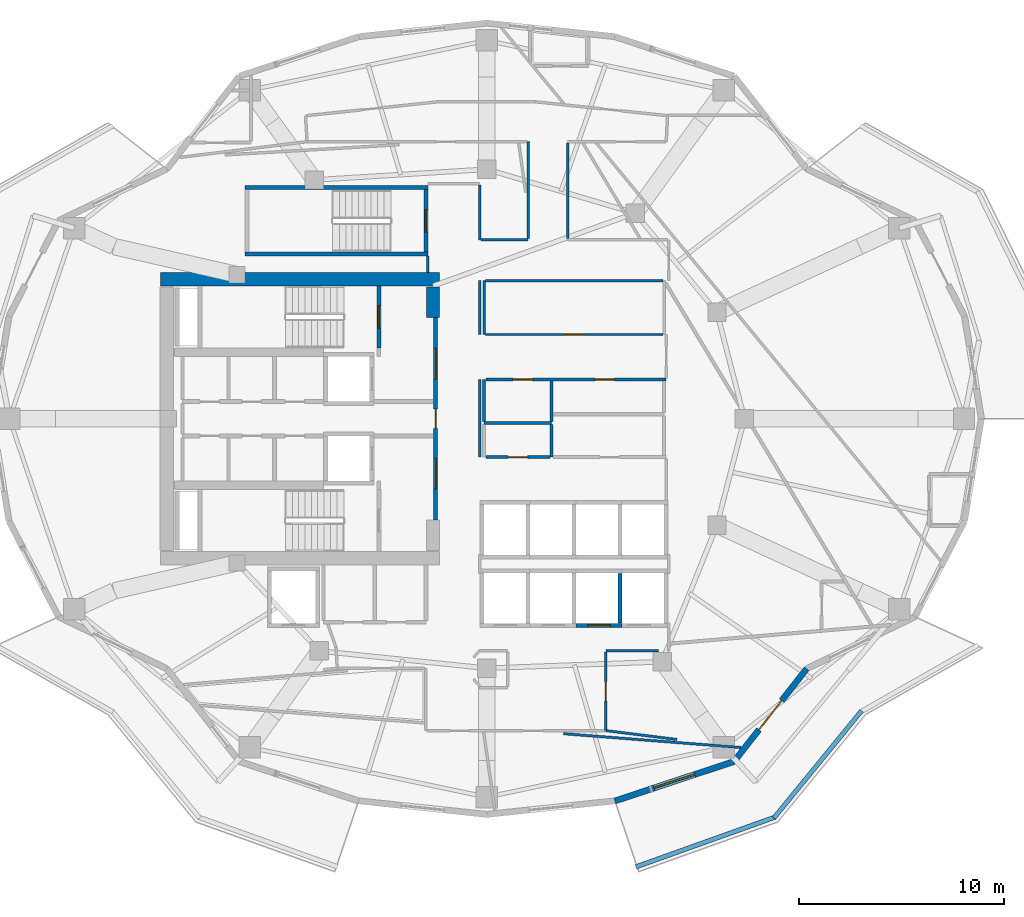
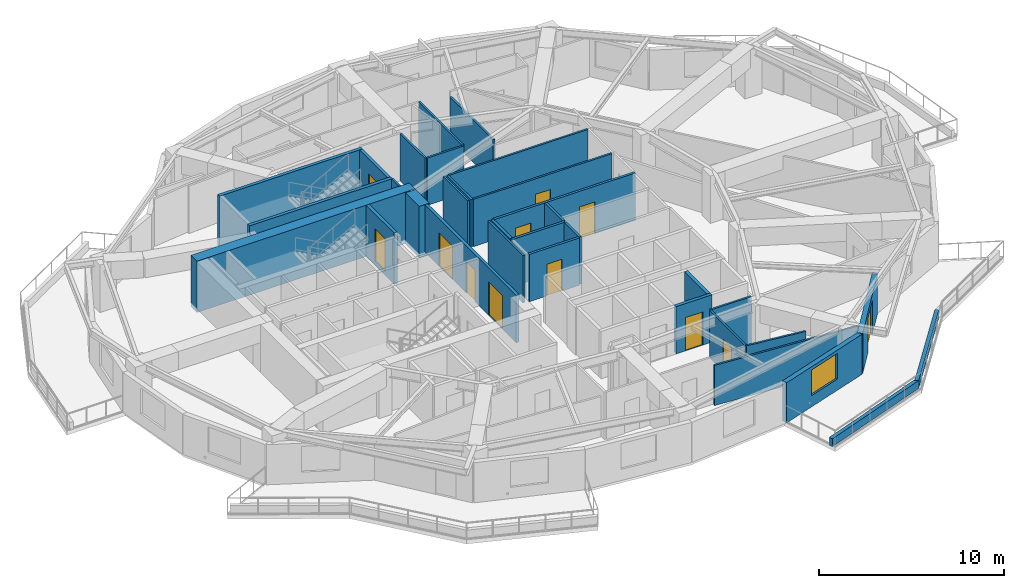
# One storey, part 5 of 12: 33 walls, 12 doors, 1 window, 13 openings.
"""IFC4 building model written with IfcOpenShell, lengths in metres."""

from ifc_helpers import new_model, si_unit, direction, frame, frame_2d, origin, place, context, subcontext, project, spatial, rectangle, extrude, material, layer, layer_set, type_object, element, fill, save


model = new_model("IFC4")

# Units and contexts
model_context = context("Model", 3, precision=1e-05, world=origin(), true_north=direction((0.0, 1.0)))
body_context = subcontext(model_context, "Body", "Model", "MODEL_VIEW")
ifc_project = project(units=[si_unit("LENGTHUNIT", "METRE"), si_unit("AREAUNIT", "SQUARE_METRE"), si_unit("VOLUMEUNIT", "CUBIC_METRE"), si_unit("PLANEANGLEUNIT", "RADIAN"), si_unit("MASSUNIT", "GRAM", prefix="KILO")], contexts=[model_context])

# Site, building, storey
site_placement = place(None, origin())
site = spatial("IfcSite", under=ifc_project, at=site_placement, CompositionType="ELEMENT")
building_placement = place(site_placement, origin())
building = spatial("IfcBuilding", under=site, at=building_placement, Name="Kolvaren Gate Tower and Convention Centre", CompositionType="ELEMENT")
storey_placement = place(building_placement, frame((0.0, 0.0, 139.300048828125)))
storey = spatial("IfcBuildingStorey", under=building, at=storey_placement, Name="L35", CompositionType="ELEMENT", Elevation=139.300048828125)

# Wall, openings, doors
ifc_material_1 = material(Name="Autoclaved Aerated Masonry Blockwork Class 4 (4.0 MPa)", Category="masonry")
ifc_layer_1 = layer(ifc_material_1, 0.179931640625)
ifc_layer_set_1 = layer_set([ifc_layer_1], Name="Autoclaved Aerated Masonry Blockwork Class 4 (4.0 MPa)")
wall_type_1 = type_object("IfcWallType", Name="ARCH-WL-COMP-180", PredefinedType="SOLIDWALL", material=ifc_layer_set_1)
wall_1_placement = place(storey_placement, frame((27.6201171875, 22.050048828125, 0.0), z_axis=(0.0, 0.0, 1.0), x_axis=(0.0, 1.0, 0.0)))
wall_1 = element("IfcWall", 1, at=wall_1_placement, inside=storey, type_object=wall_type_1, Name="Interior Partition WL-L35-INT-003", PredefinedType="SOLIDWALL", context=body_context, shape_type="SweptSolid", body=[
    extrude(rectangle(XDim=9.89990234375, YDim=0.179931640625, at=frame_2d((4.949951171875, 0.0))), origin(), (0.0, 0.0, 1.0), 3.1298828125),
])
opening_1_placement = place(wall_1_placement, frame((4.47509765625, 0.0, 0.0)))
opening_1 = element("IfcOpeningElement", 2, at=opening_1_placement, cuts=wall_1, Name="Opening DR-01", PredefinedType="OPENING", context=body_context, shape_type="SweptSolid", body=[
    extrude(rectangle(XDim=0.949951171875, YDim=2.10009765625, at=frame_2d((0.47509765625, 1.050048828125))), frame((0.0, 0.099853515625, 0.0), z_axis=(0.0, -1.0, 0.0), x_axis=(1.0, 0.0, 0.0)), (0.0, 0.0, 1.0), 0.199951171875),
])
opening_2_placement = place(wall_1_placement, frame((6.889892578125, 0.0, 0.0)))
opening_2 = element("IfcOpeningElement", 3, at=opening_2_placement, cuts=wall_1, Name="Opening DL-01", PredefinedType="OPENING", context=body_context, shape_type="SweptSolid", body=[
    extrude(rectangle(XDim=1.5, YDim=2.199951171875, at=frame_2d((0.75, 1.10009765625))), frame((0.0, 0.099853515625, 0.0), z_axis=(0.0, -1.0, 0.0), x_axis=(1.0, 0.0, 0.0)), (0.0, 0.0, 1.0), 0.199951171875),
])
opening_3_placement = place(wall_1_placement, frame((1.510009765625, 0.0, 0.0)))
opening_3 = element("IfcOpeningElement", 4, at=opening_3_placement, cuts=wall_1, Name="Opening DL-01", PredefinedType="OPENING", context=body_context, shape_type="SweptSolid", body=[
    extrude(rectangle(XDim=1.5, YDim=2.199951171875, at=frame_2d((0.75, 1.10009765625))), frame((0.0, 0.099853515625, 0.0), z_axis=(0.0, -1.0, 0.0), x_axis=(1.0, 0.0, 0.0)), (0.0, 0.0, 1.0), 0.199951171875),
])
ifc_material_2 = material(Name="Painted Architectural Steelwork ASTM A500 Grade C 345 MPa", Category="steel")
door_type_1 = type_object("IfcDoorType", Name="ARCH-DR-LOBBY-1500", OperationType="DOUBLE_DOOR_SINGLE_SWING", PredefinedType="DOOR", material=ifc_material_2)
door_1_placement = place(opening_2_placement, origin())
door_1 = element("IfcDoor", 5, at=door_1_placement, inside=storey, type_object=door_type_1, Name="North Firefighting Stair and Lift Lobby Door", OperationType="DOUBLE_DOOR_SINGLE_SWING", OverallHeight=2.199951171875, OverallWidth=1.5, PredefinedType="DOOR", context=body_context, shape_type="SweptSolid", body=[
    extrude(rectangle(XDim=1.5, YDim=2.199951171875, at=frame_2d((0.75, 1.10009765625))), frame((0.0, 0.02490234375, 0.0), z_axis=(0.0, -1.0, 0.0), x_axis=(1.0, 0.0, 0.0)), (0.0, 0.0, 1.0), 0.050048828125),
])
fill(opening_2, door_1)
door_2_placement = place(opening_3_placement, origin())
door_2 = element("IfcDoor", 6, at=door_2_placement, inside=storey, type_object=door_type_1, Name="South Firefighting Stair and Lift Lobby Door", OperationType="DOUBLE_DOOR_SINGLE_SWING", OverallHeight=2.199951171875, OverallWidth=1.5, PredefinedType="DOOR", context=body_context, shape_type="SweptSolid", body=[
    extrude(rectangle(XDim=1.5, YDim=2.199951171875, at=frame_2d((0.75, 1.10009765625))), frame((0.0, 0.02490234375, 0.0), z_axis=(0.0, -1.0, 0.0), x_axis=(1.0, 0.0, 0.0)), (0.0, 0.0, 1.0), 0.050048828125),
])
fill(opening_3, door_2)
door_type_2 = type_object("IfcDoorType", Name="ARCH-DR-RISER-950", OperationType="SINGLE_SWING_RIGHT", PredefinedType="DOOR", material=ifc_material_2)
door_3_placement = place(opening_1_placement, origin())
door_3 = element("IfcDoor", 7, at=door_3_placement, inside=storey, type_object=door_type_2, Name="Central MEP Service Corridor Door", OperationType="SINGLE_SWING_RIGHT", OverallHeight=2.10009765625, OverallWidth=0.949951171875, PredefinedType="DOOR", context=body_context, shape_type="SweptSolid", body=[
    extrude(rectangle(XDim=0.949951171875, YDim=2.10009765625, at=frame_2d((0.47509765625, 1.050048828125))), frame((0.0, 0.02490234375, 0.0), z_axis=(0.0, -1.0, 0.0), x_axis=(1.0, 0.0, 0.0)), (0.0, 0.0, 1.0), 0.050048828125),
])
fill(opening_1, door_3)

# Wall
ifc_material_3 = material(Name="Fire-Rated Acoustic Gypsum Stud Partition", Category="gypsum")
ifc_layer_2 = layer(ifc_material_3, 0.1201171875)
ifc_layer_set_2 = layer_set([ifc_layer_2], Name="Fire-Rated Acoustic Gypsum Stud Partition")
wall_type_2 = type_object("IfcWallType", Name="ARCH-WL-PART-120", PredefinedType="PARTITIONING", material=ifc_layer_set_2)
wall_2_placement = place(storey_placement, frame((30.0, 31.1201171875, 0.0), z_axis=(0.0, 0.0, 1.0), x_axis=(0.0, 1.0, 0.0)))
element("IfcWall", 8, at=wall_2_placement, inside=storey, type_object=wall_type_2, Name="Interior Partition WL-L35-INT-018", PredefinedType="PARTITIONING", context=body_context, shape_type="SweptSolid", body=[
    extrude(rectangle(XDim=2.6298828125, YDim=0.1201171875, at=frame_2d((1.31494140625, 0.0))), origin(), (0.0, 0.0, 1.0), 3.1298828125),
])

# Wall, opening, door
wall_3_placement = place(storey_placement, frame((30.06201171875, 31.1201171875, 0.0), z_axis=(0.0, 0.0, 1.0), x_axis=(1.0, 0.0, 0.0)))
wall_3 = element("IfcWall", 9, at=wall_3_placement, inside=storey, type_object=wall_type_2, Name="Interior Partition WL-L35-INT-025", PredefinedType="PARTITIONING", context=body_context, shape_type="SweptSolid", body=[
    extrude(rectangle(XDim=8.676025390625, YDim=0.1201171875, at=frame_2d((4.337890625, 0.0))), origin(), (0.0, 0.0, 1.0), 3.1298828125),
])
opening_4_placement = place(wall_3_placement, frame((3.863037109375, 0.0, 0.0)))
opening_4 = element("IfcOpeningElement", 10, at=opening_4_placement, cuts=wall_3, Name="Opening DR-01", PredefinedType="OPENING", context=body_context, shape_type="SweptSolid", body=[
    extrude(rectangle(XDim=0.949951171875, YDim=2.10009765625, at=frame_2d((0.47509765625, 1.050048828125))), frame((0.0, 0.070068359375, 0.0), z_axis=(0.0, -1.0, 0.0), x_axis=(1.0, 0.0, 0.0)), (0.0, 0.0, 1.0), 0.14013671875),
])
door_4_placement = place(opening_4_placement, origin())
door_4 = element("IfcDoor", 11, at=door_4_placement, inside=storey, type_object=door_type_2, Name="Botanical Reading Clubroom Door", OperationType="SINGLE_SWING_LEFT", OverallHeight=2.10009765625, OverallWidth=0.949951171875, PredefinedType="DOOR", context=body_context, shape_type="SweptSolid", body=[
    extrude(rectangle(XDim=0.949951171875, YDim=2.10009765625, at=frame_2d((0.47509765625, 1.050048828125))), frame((0.0, 0.02490234375, 0.0), z_axis=(0.0, -1.0, 0.0), x_axis=(1.0, 0.0, 0.0)), (0.0, 0.0, 1.0), 0.050048828125),
])
fill(opening_4, door_4)

# Walls
wall_4_placement = place(storey_placement, frame((30.06201171875, 33.75, 0.0), z_axis=(0.0, 0.0, 1.0), x_axis=(1.0, 0.0, 0.0)))
element("IfcWall", 12, at=wall_4_placement, inside=storey, type_object=wall_type_2, Name="Interior Partition WL-L35-INT-026", PredefinedType="PARTITIONING", context=body_context, shape_type="SweptSolid", body=[
    extrude(rectangle(XDim=8.676025390625, YDim=0.1201171875, at=frame_2d((4.337890625, 0.0))), origin(), (0.0, 0.0, 1.0), 3.1298828125),
])
wall_5_placement = place(storey_placement, frame((35.949951171875, 15.64990234375, 0.0), z_axis=(0.0, 0.0, 1.0), x_axis=(1.0, 0.0, 0.0)))
element("IfcWall", 13, at=wall_5_placement, inside=storey, type_object=wall_type_2, Name="Interior Partition WL-L35-INT-030", PredefinedType="PARTITIONING", context=body_context, shape_type="SweptSolid", body=[
    extrude(rectangle(XDim=2.568115234375, YDim=0.1201171875, at=frame_2d((1.2841796875, 0.0))), origin(), (0.0, 0.0, 1.0), 3.1298828125),
])

# Wall, opening, door
wall_6_placement = place(storey_placement, frame((35.949951171875, 11.75, 0.0), z_axis=(0.0, 0.0, 1.0), x_axis=(0.0, 1.0, 0.0)))
wall_6 = element("IfcWall", 14, at=wall_6_placement, inside=storey, type_object=wall_type_2, Name="Interior Partition WL-L35-INT-031", PredefinedType="PARTITIONING", context=body_context, shape_type="SweptSolid", body=[
    extrude(rectangle(XDim=3.837890625, YDim=0.1201171875, at=frame_2d((1.9189453125, 0.0))), origin(), (0.0, 0.0, 1.0), 3.1298828125),
])
opening_5_placement = place(wall_6_placement, frame((1.444091796875, 0.0, 0.0)))
opening_5 = element("IfcOpeningElement", 15, at=opening_5_placement, cuts=wall_6, Name="Opening DR-01", PredefinedType="OPENING", context=body_context, shape_type="SweptSolid", body=[
    extrude(rectangle(XDim=0.949951171875, YDim=2.10009765625, at=frame_2d((0.47509765625, 1.050048828125))), frame((0.0, 0.070068359375, 0.0), z_axis=(0.0, -1.0, 0.0), x_axis=(1.0, 0.0, 0.0)), (0.0, 0.0, 1.0), 0.14013671875),
])
door_5_placement = place(opening_5_placement, origin())
door_5 = element("IfcDoor", 16, at=door_5_placement, inside=storey, type_object=door_type_2, Name="Atrium Concierge Reception Door", OperationType="SINGLE_SWING_LEFT", OverallHeight=2.10009765625, OverallWidth=0.949951171875, PredefinedType="DOOR", context=body_context, shape_type="SweptSolid", body=[
    extrude(rectangle(XDim=0.949951171875, YDim=2.10009765625, at=frame_2d((0.47509765625, 1.050048828125))), frame((0.0, 0.02490234375, 0.0), z_axis=(0.0, -1.0, 0.0), x_axis=(1.0, 0.0, 0.0)), (0.0, 0.0, 1.0), 0.050048828125),
])
fill(opening_5, door_5)

# Walls
wall_7_placement = place(storey_placement, frame((27.25, 34.152099609375, 0.0), z_axis=(0.0, 0.0, 1.0), x_axis=(0.0, 1.0, 0.0)))
element("IfcWall", 17, at=wall_7_placement, inside=storey, type_object=wall_type_2, Name="Interior Partition WL-L35-INT-037", PredefinedType="PARTITIONING", context=body_context, shape_type="SweptSolid", body=[
    extrude(rectangle(XDim=0.805908203125, YDim=0.1201171875, at=frame_2d((0.40283203125, 0.0))), origin(), (0.0, 0.0, 1.0), 3.1298828125),
])
wall_8_placement = place(storey_placement, frame((29.780029296875, 25.1201171875, 0.0), z_axis=(0.0, 0.0, 1.0), x_axis=(0.0, 1.0, 0.0)))
element("IfcWall", 18, at=wall_8_placement, inside=storey, type_object=wall_type_2, Name="Interior Partition WL-L35-INT-040", PredefinedType="PARTITIONING", context=body_context, shape_type="SweptSolid", body=[
    extrude(rectangle(XDim=3.7998046875, YDim=0.1201171875, at=frame_2d((1.89990234375, 0.0))), origin(), (0.0, 0.0, 1.0), 3.1298828125),
])
wall_9_placement = place(storey_placement, frame((29.780029296875, 31.1201171875, 0.0), z_axis=(0.0, 0.0, 1.0), x_axis=(0.0, 1.0, 0.0)))
element("IfcWall", 19, at=wall_9_placement, inside=storey, type_object=wall_type_2, Name="Interior Partition WL-L35-INT-041", PredefinedType="PARTITIONING", context=body_context, shape_type="SweptSolid", body=[
    extrude(rectangle(XDim=2.6298828125, YDim=0.1201171875, at=frame_2d((1.31494140625, 0.0))), origin(), (0.0, 0.0, 1.0), 3.1298828125),
])
wall_10_placement = place(storey_placement, frame((29.780029296875, 35.75, 0.0), z_axis=(0.0, 0.0, 1.0), x_axis=(0.0, 1.0, 0.0)))
element("IfcWall", 20, at=wall_10_placement, inside=storey, type_object=wall_type_2, Name="Interior Partition WL-L35-INT-042", PredefinedType="PARTITIONING", context=body_context, shape_type="SweptSolid", body=[
    extrude(rectangle(XDim=2.68798828125, YDim=0.1201171875, at=frame_2d((1.343994140625, 0.0))), origin(), (0.0, 0.0, 1.0), 3.1298828125),
])
wall_11_placement = place(storey_placement, frame((29.842041015625, 35.75, 0.0), z_axis=(0.0, 0.0, 1.0), x_axis=(1.0, 0.0, 0.0)))
element("IfcWall", 21, at=wall_11_placement, inside=storey, type_object=wall_type_2, Name="Interior Partition WL-L35-INT-043", PredefinedType="PARTITIONING", context=body_context, shape_type="SweptSolid", body=[
    extrude(rectangle(XDim=2.307861328125, YDim=0.1201171875, at=frame_2d((1.15380859375, 0.0))), origin(), (0.0, 0.0, 1.0), 3.1298828125),
])
wall_12_placement = place(storey_placement, frame((32.14990234375, 35.81201171875, 0.0), z_axis=(0.0, 0.0, 1.0), x_axis=(0.0, 1.0, 0.0)))
element("IfcWall", 22, at=wall_12_placement, inside=storey, type_object=wall_type_2, Name="Interior Partition WL-L35-INT-045", PredefinedType="PARTITIONING", context=body_context, shape_type="SweptSolid", body=[
    extrude(rectangle(XDim=4.738037109375, YDim=0.1201171875, at=frame_2d((2.369140625, 0.0))), origin(), (0.0, 0.0, 1.0), 3.1298828125),
])
wall_13_placement = place(storey_placement, frame((34.080078125, 35.81201171875, 0.0), z_axis=(0.0, 0.0, 1.0), x_axis=(0.0, 1.0, 0.0)))
element("IfcWall", 23, at=wall_13_placement, inside=storey, type_object=wall_type_2, Name="Interior Partition WL-L35-INT-052", PredefinedType="PARTITIONING", context=body_context, shape_type="SweptSolid", body=[
    extrude(rectangle(XDim=4.676025390625, YDim=0.1201171875, at=frame_2d((2.337890625, 0.0))), origin(), (0.0, 0.0, 1.0), 2.81201171875),
])
wall_14_placement = place(storey_placement, frame((33.871826171875, 11.60009765625, 0.0), z_axis=(0.0, 0.0, 1.0), x_axis=(0.996986194661, -0.077579170241, 0.0)))
element("IfcWall", 24, at=wall_14_placement, inside=storey, type_object=wall_type_2, Name="Interior Partition WL-L35-INT-062", PredefinedType="PARTITIONING", context=body_context, shape_type="SweptSolid", body=[
    extrude(rectangle(XDim=8.714111328125, YDim=0.1201171875, at=frame_2d((4.35693359375, 0.0))), origin(), (0.0, 0.0, 1.0), 2.65283203125),
])
wall_15_placement = place(storey_placement, frame((35.949951171875, 11.75, 0.0), z_axis=(0.0, 0.0, 1.0), x_axis=(0.992393012253, -0.123110150805, 0.0)))
element("IfcWall", 25, at=wall_15_placement, inside=storey, type_object=wall_type_2, Name="Interior Partition WL-L35-INT-064", PredefinedType="PARTITIONING", context=body_context, shape_type="SweptSolid", body=[
    extrude(rectangle(XDim=3.510009765625, YDim=0.1201171875, at=frame_2d((1.7548828125, 0.0))), origin(), (0.0, 0.0, 1.0), 3.1298828125),
])
ifc_material_4 = material(Name="Piedmont Cream Honed Limestone Cladding", Category="masonry")
ifc_layer_3 = layer(ifc_material_4, 0.219970703125)
ifc_layer_set_3 = layer_set([ifc_layer_3], Name="Piedmont Cream Honed Limestone Cladding")
wall_type_3 = type_object("IfcWallType", Name="ARCH-WL-PLANTER-220", PredefinedType="PARAPET", material=ifc_layer_set_3)
wall_16_placement = place(storey_placement, frame((37.4189453125, 5.08740234375, 0.0), z_axis=(0.0, 0.0, 1.0), x_axis=(0.941632697311, 0.336642040387, 0.0)))
element("IfcWall", 26, at=wall_16_placement, inside=storey, type_object=wall_type_3, Name="Vertical-Forest Balcony Stone Planter Kerb PK-L35-4.1", PredefinedType="PARAPET", context=body_context, shape_type="SweptSolid", body=[
    extrude(rectangle(XDim=7.235595703125, YDim=0.219970703125, at=frame_2d((3.61767578125, 0.0))), origin(), (0.0, 0.0, 1.0), 0.52001953125),
])
wall_17_placement = place(storey_placement, frame((44.1669921875, 7.476806640625, 0.0), z_axis=(0.0, 0.0, 1.0), x_axis=(0.633002467947, 0.77414977593, 0.0)))
element("IfcWall", 27, at=wall_17_placement, inside=storey, type_object=wall_type_3, Name="Vertical-Forest Balcony Stone Planter Kerb PK-L35-4.2", PredefinedType="PARAPET", context=body_context, shape_type="SweptSolid", body=[
    extrude(rectangle(XDim=6.7802734375, YDim=0.219970703125, at=frame_2d((3.39013671875, 0.0))), origin(), (0.0, 0.0, 1.0), 0.52001953125),
])

# Wall, opening, door
ifc_layer_4 = layer(ifc_material_1, 0.199951171875)
ifc_layer_set_4 = layer_set([ifc_layer_4], Name="Autoclaved Aerated Masonry Blockwork Class 4 (4.0 MPa)")
wall_type_4 = type_object("IfcWallType", Name="ARCH-WL-SHAFT-200", PredefinedType="SOLIDWALL", material=ifc_layer_set_4)
wall_18_placement = place(storey_placement, frame((34.5, 16.89990234375, 0.0), z_axis=(0.0, 0.0, 1.0), x_axis=(1.0, 0.0, 0.0)))
wall_18 = element("IfcWall", 28, at=wall_18_placement, inside=storey, type_object=wall_type_4, Name="Elevator PL-07 L35 Fire Shaft Wall S", PredefinedType="SOLIDWALL", context=body_context, shape_type="SweptSolid", body=[
    extrude(rectangle(XDim=2.25, YDim=0.199951171875, at=frame_2d((1.125, 0.0))), origin(), (0.0, 0.0, 1.0), 3.1298828125),
])
opening_6_placement = place(wall_18_placement, frame((0.574951171875, 0.0, 0.0)))
opening_6 = element("IfcOpeningElement", 29, at=opening_6_placement, cuts=wall_18, Name="Opening LD", PredefinedType="OPENING", context=body_context, shape_type="SweptSolid", body=[
    extrude(rectangle(XDim=1.10009765625, YDim=2.199951171875, at=frame_2d((0.550048828125, 1.10009765625))), frame((0.0, 0.10986328125, 0.0), z_axis=(0.0, -1.0, 0.0), x_axis=(1.0, 0.0, 0.0)), (0.0, 0.0, 1.0), 0.219970703125),
])
ifc_material_5 = material(Name="Brushed Stainless Steel Grade 316L", Category="steel")
door_type_3 = type_object("IfcDoorType", Name="ARCH-DR-LIFT-1100", OperationType="SLIDING_TO_LEFT", PredefinedType="DOOR", material=ifc_material_5)
door_6_placement = place(opening_6_placement, origin())
door_6 = element("IfcDoor", 30, at=door_6_placement, inside=storey, type_object=door_type_3, Name="Elevator PL-07 L35 Sliding Landing Door", OperationType="SLIDING_TO_LEFT", OverallHeight=2.199951171875, OverallWidth=1.10009765625, PredefinedType="DOOR", context=body_context, shape_type="SweptSolid", body=[
    extrude(rectangle(XDim=1.10009765625, YDim=2.199951171875, at=frame_2d((0.550048828125, 1.10009765625))), frame((0.0, 0.02490234375, 0.0), z_axis=(0.0, -1.0, 0.0), x_axis=(1.0, 0.0, 0.0)), (0.0, 0.0, 1.0), 0.050048828125),
])
fill(opening_6, door_6)

# Wall
wall_19_placement = place(storey_placement, frame((36.64990234375, 17.010009765625, 0.0), z_axis=(0.0, 0.0, 1.0), x_axis=(0.0, 1.0, 0.0)))
element("IfcWall", 31, at=wall_19_placement, inside=storey, type_object=wall_type_4, Name="Elevator PL-07 L35 Fire Shaft Wall E", PredefinedType="SOLIDWALL", context=body_context, shape_type="SweptSolid", body=[
    extrude(rectangle(XDim=2.429931640625, YDim=0.199951171875, at=frame_2d((1.21484375, 0.0))), origin(), (0.0, 0.0, 1.0), 3.1298828125),
])

# Wall, opening, window
ifc_layer_5 = layer(ifc_material_4, 0.300048828125)
ifc_layer_set_5 = layer_set([ifc_layer_5], Name="Piedmont Cream Honed Limestone Cladding")
wall_type_5 = type_object("IfcWallType", Name="ARCH-WL-STONE-300", PredefinedType="SOLIDWALL", material=ifc_layer_set_5)
wall_20_placement = place(storey_placement, frame((36.38525390625, 8.309326171875, 0.0), z_axis=(0.0, 0.0, 1.0), x_axis=(0.949238009374, 0.314558741032, 0.0)))
wall_20 = element("IfcWall", 32, at=wall_20_placement, inside=storey, type_object=wall_type_5, Name="Tower L35 Honed Stone Spandrel Wall EW-19", PredefinedType="SOLIDWALL", context=body_context, shape_type="SweptSolid", body=[
    extrude(rectangle(XDim=6.1455078125, YDim=0.300048828125, at=frame_2d((3.07275390625, 0.0))), origin(), (0.0, 0.0, 1.0), 2.65283203125),
])
opening_7_placement = place(wall_20_placement, frame((2.02294921875, 0.0, 0.739990234375)))
opening_7 = element("IfcOpeningElement", 33, at=opening_7_placement, cuts=wall_20, Name="Opening W-02", PredefinedType="OPENING", context=body_context, shape_type="SweptSolid", body=[
    extrude(rectangle(XDim=2.10009765625, YDim=1.699951171875, at=frame_2d((1.050048828125, 0.85009765625))), frame((0.0, 0.159912109375, 0.0), z_axis=(0.0, -1.0, 0.0), x_axis=(1.0, 0.0, 0.0)), (0.0, 0.0, 1.0), 0.320068359375),
])
ifc_material_6 = material(Name="Low-E Triple Insulated Glazing Unit 44 mm", Category="glass")
window_type = type_object("IfcWindowType", Name="ARCH-WN-HTL-2100", PartitioningType="SINGLE_PANEL", PredefinedType="WINDOW", material=ifc_material_6)
window_placement = place(opening_7_placement, origin())
window = element("IfcWindow", 34, at=window_placement, inside=storey, type_object=window_type, Name="Tower L35 Punched Stone Facade Window W-19", OverallHeight=1.699951171875, OverallWidth=2.10009765625, PartitioningType="SINGLE_PANEL", PredefinedType="WINDOW", context=body_context, shape_type="SweptSolid", body=[
    extrude(rectangle(XDim=2.10009765625, YDim=1.699951171875, at=frame_2d((1.050048828125, 0.85009765625))), frame((0.0, 0.030029296875, 0.0), z_axis=(0.0, -1.0, 0.0), x_axis=(1.0, 0.0, 0.0)), (0.0, 0.0, 1.0), 0.06005859375),
])
fill(opening_7, window)

# Wall, opening, door
wall_21_placement = place(storey_placement, frame((42.21875, 10.242431640625, 0.0), z_axis=(0.0, 0.0, 1.0), x_axis=(0.616435134162, 0.787405693001, 0.0)))
wall_21 = element("IfcWall", 35, at=wall_21_placement, inside=storey, type_object=wall_type_5, Name="Tower L35 Honed Stone Spandrel Wall EW-20", PredefinedType="SOLIDWALL", context=body_context, shape_type="SweptSolid", body=[
    extrude(rectangle(XDim=5.759033203125, YDim=0.300048828125, at=frame_2d((2.87939453125, 0.0))), origin(), (0.0, 0.0, 1.0), 2.65283203125),
])
opening_8_placement = place(wall_21_placement, frame((1.97900390625, 0.0, 0.0)))
opening_8 = element("IfcOpeningElement", 36, at=opening_8_placement, cuts=wall_21, Name="Opening DB-01", PredefinedType="OPENING", context=body_context, shape_type="SweptSolid", body=[
    extrude(rectangle(XDim=1.800048828125, YDim=2.25, at=frame_2d((0.89990234375, 1.125))), frame((0.0, 0.159912109375, 0.0), z_axis=(0.0, -1.0, 0.0), x_axis=(1.0, 0.0, 0.0)), (0.0, 0.0, 1.0), 0.320068359375),
])
ifc_material_7 = material(Name="Anodized Architectural Aluminium Alloy 6063-T6", Category="aluminium")
door_type_4 = type_object("IfcDoorType", Name="ARCH-DR-BALC-1800", OperationType="SLIDING_TO_LEFT", PredefinedType="DOOR", material=ifc_material_7)
door_7_placement = place(opening_8_placement, frame((1.800048828125, 0.0, 0.0), z_axis=(0.0, 0.0, 1.0), x_axis=(-1.0, 0.0, 0.0)))
door_7 = element("IfcDoor", 37, at=door_7_placement, inside=storey, type_object=door_type_4, Name="Planted Sky Terrace Access Door DB-L35-20", OperationType="SLIDING_TO_LEFT", OverallHeight=2.25, OverallWidth=1.800048828125, PredefinedType="DOOR", context=body_context, shape_type="SweptSolid", body=[
    extrude(rectangle(XDim=1.800048828125, YDim=2.25, at=frame_2d((0.89990234375, 1.125))), frame((0.0, 0.02490234375, 0.0), z_axis=(0.0, -1.0, 0.0), x_axis=(1.0, 0.0, 0.0)), (0.0, 0.0, 1.0), 0.050048828125),
])
fill(opening_8, door_7)

# Walls
ifc_material_8 = material(Name="Moisture-Resistant Cement-Board Acoustic Partition", Category="gypsum")
ifc_layer_6 = layer(ifc_material_8, 0.14990234375)
ifc_layer_set_6 = layer_set([ifc_layer_6], Name="Moisture-Resistant Cement-Board Acoustic Partition")
wall_type_6 = type_object("IfcWallType", Name="ARCH-WL-WET-150", PredefinedType="PARTITIONING", material=ifc_layer_set_6)
wall_22_placement = place(storey_placement, frame((30.0, 26.800048828125, 0.0), z_axis=(0.0, 0.0, 1.0), x_axis=(1.0, 0.0, 0.0)))
element("IfcWall", 38, at=wall_22_placement, inside=storey, type_object=wall_type_6, Name="Interior Partition WL-L35-INT-016", PredefinedType="PARTITIONING", context=body_context, shape_type="SweptSolid", body=[
    extrude(rectangle(XDim=3.300048828125, YDim=0.14990234375, at=frame_2d((1.64990234375, 0.0))), origin(), (0.0, 0.0, 1.0), 3.1298828125),
])
wall_23_placement = place(storey_placement, frame((30.0, 26.876953125, 0.0), z_axis=(0.0, 0.0, 1.0), x_axis=(0.0, 1.0, 0.0)))
element("IfcWall", 39, at=wall_23_placement, inside=storey, type_object=wall_type_6, Name="Interior Partition WL-L35-INT-017 (2)", PredefinedType="PARTITIONING", context=body_context, shape_type="SweptSolid", body=[
    extrude(rectangle(XDim=2.04296875, YDim=0.14990234375, at=frame_2d((1.021484375, 0.0))), origin(), (0.0, 0.0, 1.0), 3.1298828125),
])

# Wall, openings, doors
wall_24_placement = place(storey_placement, frame((30.076904296875, 28.919921875, 0.0), z_axis=(0.0, 0.0, 1.0), x_axis=(1.0, 0.0, 0.0)))
wall_24 = element("IfcWall", 40, at=wall_24_placement, inside=storey, type_object=wall_type_6, Name="Interior Partition WL-L35-INT-019", PredefinedType="PARTITIONING", context=body_context, shape_type="SweptSolid", body=[
    extrude(rectangle(XDim=8.822998046875, YDim=0.14990234375, at=frame_2d((4.41162109375, 0.0))), origin(), (0.0, 0.0, 1.0), 3.1298828125),
])
opening_9_placement = place(wall_24_placement, frame((1.341552734375, 0.0, 0.0)))
opening_9 = element("IfcOpeningElement", 41, at=opening_9_placement, cuts=wall_24, Name="Opening DR-01", PredefinedType="OPENING", context=body_context, shape_type="SweptSolid", body=[
    extrude(rectangle(XDim=0.949951171875, YDim=2.10009765625, at=frame_2d((0.47509765625, 1.050048828125))), frame((0.0, 0.0849609375, 0.0), z_axis=(0.0, -1.0, 0.0), x_axis=(1.0, 0.0, 0.0)), (0.0, 0.0, 1.0), 0.169921875),
])
opening_10_placement = place(wall_24_placement, frame((5.343017578125, 0.0, 0.0)))
opening_10 = element("IfcOpeningElement", 42, at=opening_10_placement, cuts=wall_24, Name="Opening DR-01", PredefinedType="OPENING", context=body_context, shape_type="SweptSolid", body=[
    extrude(rectangle(XDim=0.949951171875, YDim=2.10009765625, at=frame_2d((0.47509765625, 1.050048828125))), frame((0.0, 0.0849609375, 0.0), z_axis=(0.0, -1.0, 0.0), x_axis=(1.0, 0.0, 0.0)), (0.0, 0.0, 1.0), 0.169921875),
])
door_8_placement = place(opening_9_placement, origin())
door_8 = element("IfcDoor", 43, at=door_8_placement, inside=storey, type_object=door_type_2, Name="Accessible North Washroom Door", OperationType="SINGLE_SWING_LEFT", OverallHeight=2.10009765625, OverallWidth=0.949951171875, PredefinedType="DOOR", context=body_context, shape_type="SweptSolid", body=[
    extrude(rectangle(XDim=0.949951171875, YDim=2.10009765625, at=frame_2d((0.47509765625, 1.050048828125))), frame((0.0, 0.02490234375, 0.0), z_axis=(0.0, -1.0, 0.0), x_axis=(1.0, 0.0, 0.0)), (0.0, 0.0, 1.0), 0.050048828125),
])
fill(opening_9, door_8)
door_9_placement = place(opening_10_placement, origin())
door_9 = element("IfcDoor", 44, at=door_9_placement, inside=storey, type_object=door_type_2, Name="Hotel Housekeeping and Linen Store Door", OperationType="SINGLE_SWING_LEFT", OverallHeight=2.10009765625, OverallWidth=0.949951171875, PredefinedType="DOOR", context=body_context, shape_type="SweptSolid", body=[
    extrude(rectangle(XDim=0.949951171875, YDim=2.10009765625, at=frame_2d((0.47509765625, 1.050048828125))), frame((0.0, 0.02490234375, 0.0), z_axis=(0.0, -1.0, 0.0), x_axis=(1.0, 0.0, 0.0)), (0.0, 0.0, 1.0), 0.050048828125),
])
fill(opening_10, door_9)

# Walls
wall_25_placement = place(storey_placement, frame((33.300048828125, 25.1201171875, 0.0), z_axis=(0.0, 0.0, 1.0), x_axis=(0.0, 1.0, 0.0)))
element("IfcWall", 45, at=wall_25_placement, inside=storey, type_object=wall_type_6, Name="Interior Partition WL-L35-INT-020", PredefinedType="PARTITIONING", context=body_context, shape_type="SweptSolid", body=[
    extrude(rectangle(XDim=1.602783203125, YDim=0.14990234375, at=frame_2d((0.80126953125, 0.0))), origin(), (0.0, 0.0, 1.0), 3.1298828125),
])
wall_26_placement = place(storey_placement, frame((33.300048828125, 26.876953125, 0.0), z_axis=(0.0, 0.0, 1.0), x_axis=(0.0, 1.0, 0.0)))
element("IfcWall", 46, at=wall_26_placement, inside=storey, type_object=wall_type_6, Name="Interior Partition WL-L35-INT-020 (2)", PredefinedType="PARTITIONING", context=body_context, shape_type="SweptSolid", body=[
    extrude(rectangle(XDim=1.966064453125, YDim=0.14990234375, at=frame_2d((0.98291015625, 0.0))), origin(), (0.0, 0.0, 1.0), 3.1298828125),
])

# Wall, opening, door
wall_27_placement = place(storey_placement, frame((30.076904296875, 25.1201171875, 0.0), z_axis=(0.0, 0.0, 1.0), x_axis=(1.0, 0.0, 0.0)))
wall_27 = element("IfcWall", 47, at=wall_27_placement, inside=storey, type_object=wall_type_6, Name="Interior Partition WL-L35-INT-021", PredefinedType="PARTITIONING", context=body_context, shape_type="SweptSolid", body=[
    extrude(rectangle(XDim=3.14599609375, YDim=0.14990234375, at=frame_2d((1.572998046875, 0.0))), origin(), (0.0, 0.0, 1.0), 3.1298828125),
])
opening_11_placement = place(wall_27_placement, frame((1.097900390625, 0.0, 0.0)))
opening_11 = element("IfcOpeningElement", 48, at=opening_11_placement, cuts=wall_27, Name="Opening DR-01", PredefinedType="OPENING", context=body_context, shape_type="SweptSolid", body=[
    extrude(rectangle(XDim=0.949951171875, YDim=2.10009765625, at=frame_2d((0.47509765625, 1.050048828125))), frame((0.0, 0.0849609375, 0.0), z_axis=(0.0, -1.0, 0.0), x_axis=(1.0, 0.0, 0.0)), (0.0, 0.0, 1.0), 0.169921875),
])
door_10_placement = place(opening_11_placement, origin())
door_10 = element("IfcDoor", 49, at=door_10_placement, inside=storey, type_object=door_type_2, Name="South Visitor Washroom Door", OperationType="SINGLE_SWING_RIGHT", OverallHeight=2.10009765625, OverallWidth=0.949951171875, PredefinedType="DOOR", context=body_context, shape_type="SweptSolid", body=[
    extrude(rectangle(XDim=0.949951171875, YDim=2.10009765625, at=frame_2d((0.47509765625, 1.050048828125))), frame((0.0, 0.02490234375, 0.0), z_axis=(0.0, -1.0, 0.0), x_axis=(1.0, 0.0, 0.0)), (0.0, 0.0, 1.0), 0.050048828125),
])
fill(opening_11, door_10)

# Walls
ifc_material_9 = material(Name="Concrete C60/75", Category="concrete")
ifc_layer_7 = layer(ifc_material_9, 0.64990234375)
ifc_layer_set_7 = layer_set([ifc_layer_7], Name="Concrete C60/75")
wall_type_7 = type_object("IfcWallType", Name="STR-WL-CORE-650", PredefinedType="SHEAR", material=ifc_layer_set_7)
wall_28_placement = place(storey_placement, frame((14.175048828125, 33.824951171875, -0.27001953125), z_axis=(0.0, 0.0, 1.0), x_axis=(1.0, 0.0, 0.0)))
element("IfcWall", 50, at=wall_28_placement, inside=storey, type_object=wall_type_7, Name="Tower L35 Offset Core Shear Wall N", PredefinedType="SHEAR", context=body_context, shape_type="SweptSolid", body=[
    extrude(rectangle(XDim=13.64990234375, YDim=0.64990234375, at=frame_2d((6.824951171875, 0.0))), origin(), (0.0, 0.0, 1.0), 3.39990234375),
])
wall_29_placement = place(storey_placement, frame((27.5, 31.949951171875, -0.27001953125), z_axis=(0.0, 0.0, 1.0), x_axis=(0.0, 1.0, 0.0)))
element("IfcWall", 51, at=wall_29_placement, inside=storey, type_object=wall_type_7, Name="Tower L35 Offset Core Shear Wall EN", PredefinedType="SHEAR", context=body_context, shape_type="SweptSolid", body=[
    extrude(rectangle(XDim=1.5, YDim=0.64990234375, at=frame_2d((0.75, 0.0))), origin(), (0.0, 0.0, 1.0), 3.39990234375),
])

# Wall, opening, door
ifc_material_10 = material(Name="Concrete C50/60", Category="concrete")
ifc_layer_8 = layer(ifc_material_10, 0.199951171875)
ifc_layer_set_8 = layer_set([ifc_layer_8], Name="Concrete C50/60")
wall_type_8 = type_object("IfcWallType", Name="STR-WL-SHAFT-200", PredefinedType="SHEAR", material=ifc_layer_set_8)
wall_30_placement = place(storey_placement, frame((24.85009765625, 30.4599609375, -0.27001953125), z_axis=(0.0, 0.0, 1.0), x_axis=(0.0, 1.0, 0.0)))
wall_30 = element("IfcWall", 52, at=wall_30_placement, inside=storey, type_object=wall_type_8, Name="Tower North Exit Stair ST-T1 L35 Structural Shear Enclosure Wall NEAR", PredefinedType="SHEAR", context=body_context, shape_type="SweptSolid", body=[
    extrude(rectangle(XDim=3.0380859375, YDim=0.199951171875, at=frame_2d((1.51904296875, 0.0))), origin(), (0.0, 0.0, 1.0), 3.39990234375),
])
opening_12_placement = place(wall_30_placement, frame((0.968994140625, 0.0, 0.27001953125)))
opening_12 = element("IfcOpeningElement", 53, at=opening_12_placement, cuts=wall_30, Name="Opening DS-01", PredefinedType="OPENING", context=body_context, shape_type="SweptSolid", body=[
    extrude(rectangle(XDim=1.10009765625, YDim=2.14990234375, at=frame_2d((0.550048828125, 1.074951171875))), frame((0.0, 0.10986328125, 0.0), z_axis=(0.0, -1.0, 0.0), x_axis=(1.0, 0.0, 0.0)), (0.0, 0.0, 1.0), 0.219970703125),
])
door_type_5 = type_object("IfcDoorType", Name="ARCH-DR-STAIR-1100", OperationType="SINGLE_SWING_LEFT", PredefinedType="DOOR", material=ifc_material_2)
door_11_placement = place(opening_12_placement, origin())
door_11 = element("IfcDoor", 54, at=door_11_placement, inside=storey, type_object=door_type_5, Name="Tower North Exit Stair ST-T1 L35 Fire Exit Stair Door", OperationType="SINGLE_SWING_LEFT", OverallHeight=2.14990234375, OverallWidth=1.10009765625, PredefinedType="DOOR", context=body_context, shape_type="SweptSolid", body=[
    extrude(rectangle(XDim=1.10009765625, YDim=2.14990234375, at=frame_2d((0.550048828125, 1.074951171875))), frame((0.0, 0.02490234375, 0.0), z_axis=(0.0, -1.0, 0.0), x_axis=(1.0, 0.0, 0.0)), (0.0, 0.0, 1.0), 0.050048828125),
])
fill(opening_12, door_11)

wall_31_placement = place(storey_placement, frame((27.14990234375, 35.159912109375, -0.27001953125), z_axis=(0.0, 0.0, 1.0), x_axis=(0.0, 1.0, 0.0)))
wall_31 = element("IfcWall", 55, at=wall_31_placement, inside=storey, type_object=wall_type_8, Name="Tower Mid-Zone Exit Stair ST-T3 L35 Structural Shear Enclosure Wall NEAR", PredefinedType="SHEAR", context=body_context, shape_type="SweptSolid", body=[
    extrude(rectangle(XDim=3.0400390625, YDim=0.199951171875, at=frame_2d((1.52001953125, 0.0))), origin(), (0.0, 0.0, 1.0), 3.39990234375),
])
opening_13_placement = place(wall_31_placement, frame((0.969970703125, 0.0, 0.27001953125)))
opening_13 = element("IfcOpeningElement", 56, at=opening_13_placement, cuts=wall_31, Name="Opening DS-01", PredefinedType="OPENING", context=body_context, shape_type="SweptSolid", body=[
    extrude(rectangle(XDim=1.10009765625, YDim=2.14990234375, at=frame_2d((0.550048828125, 1.074951171875))), frame((0.0, 0.10986328125, 0.0), z_axis=(0.0, -1.0, 0.0), x_axis=(1.0, 0.0, 0.0)), (0.0, 0.0, 1.0), 0.219970703125),
])
door_12_placement = place(opening_13_placement, origin())
door_12 = element("IfcDoor", 57, at=door_12_placement, inside=storey, type_object=door_type_5, Name="Tower Mid-Zone Exit Stair ST-T3 L35 Fire Exit Stair Door", OperationType="SINGLE_SWING_LEFT", OverallHeight=2.14990234375, OverallWidth=1.10009765625, PredefinedType="DOOR", context=body_context, shape_type="SweptSolid", body=[
    extrude(rectangle(XDim=1.10009765625, YDim=2.14990234375, at=frame_2d((0.550048828125, 1.074951171875))), frame((0.0, 0.02490234375, 0.0), z_axis=(0.0, -1.0, 0.0), x_axis=(1.0, 0.0, 0.0)), (0.0, 0.0, 1.0), 0.050048828125),
])
fill(opening_13, door_12)

# Walls
for number, where, z_axis, x_axis, name in (
    (58, (18.300048828125, 38.300048828125, -0.27001953125), (0.0, 0.0, 1.0), (1.0, 0.0, 0.0), "Tower Mid-Zone Exit Stair ST-T3 L35 Structural Shear Enclosure Wall LEFT"),
    (59, (18.300048828125, 35.06005859375, -0.27001953125), (0.0, 0.0, 1.0), (1.0, 0.0, 0.0), "Tower Mid-Zone Exit Stair ST-T3 L35 Structural Shear Enclosure Wall RGHT"),
):
    element("IfcWall", number, at=place(storey_placement, frame(where, z_axis=z_axis, x_axis=x_axis)), inside=storey, type_object=wall_type_8, Name=name, PredefinedType="SHEAR", context=body_context, shape_type="SweptSolid", body=[
        extrude(rectangle(XDim=8.949951171875, YDim=0.199951171875, at=frame_2d((4.47509765625, 0.0))), origin(), (0.0, 0.0, 1.0), 3.39990234375),
    ])

save(model, "model.ifc")
